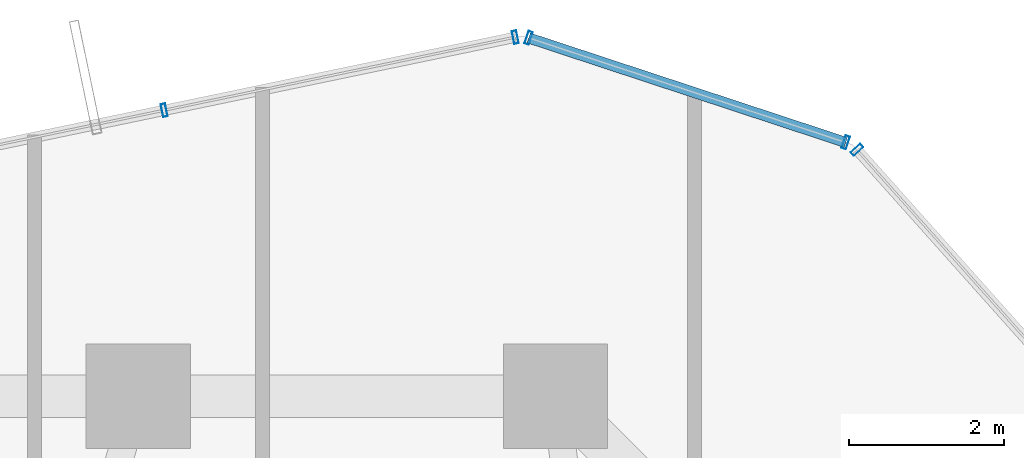
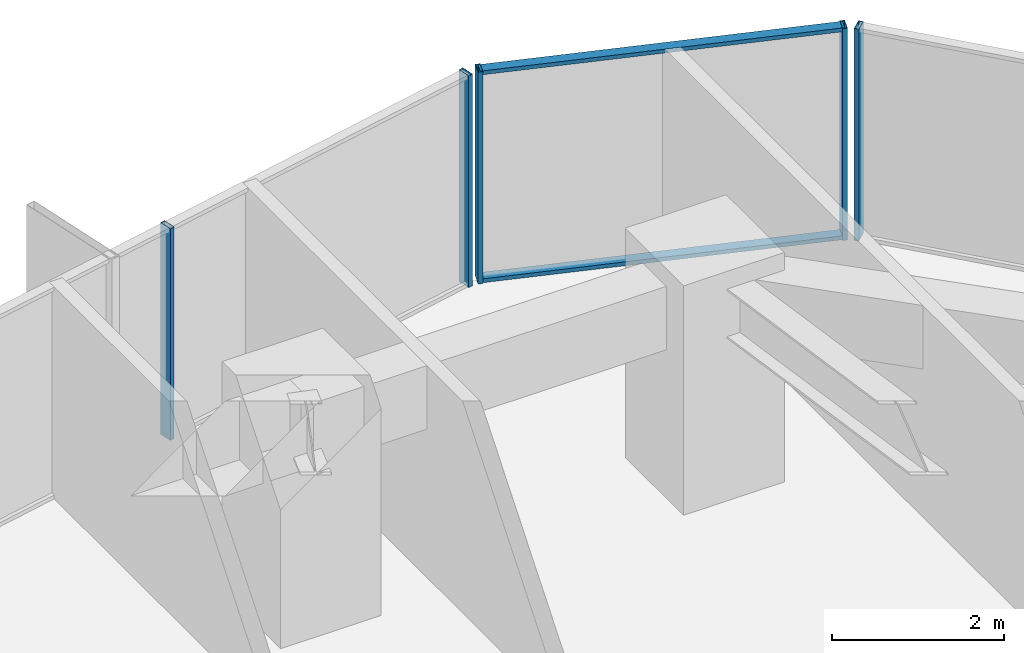
# One storey, part 27 of 38: 7 members, 3 elements without a shape of their own.
"""IFC4 building model written with IfcOpenShell, lengths in metres."""

from ifc_helpers import new_model, si_unit, direction, frame, origin, origin_2d, place, context, subcontext, project, spatial, hollow_rectangle, extrude, source, transform, mapped, material, layer, layer_set, material_profile, profile_set, type_object, element, aggregate, save


model = new_model("IFC4")

# Units and contexts
model_context = context("Model", 3, precision=1e-05, world=origin(), true_north=direction((0.0, 1.0)))
body_context = subcontext(model_context, "Body", "Model", "MODEL_VIEW")
ifc_project = project(units=[si_unit("LENGTHUNIT", "METRE"), si_unit("AREAUNIT", "SQUARE_METRE"), si_unit("VOLUMEUNIT", "CUBIC_METRE"), si_unit("PLANEANGLEUNIT", "RADIAN"), si_unit("MASSUNIT", "GRAM", prefix="KILO")], contexts=[model_context])

# Site, building, storey
site_placement = place(None, origin())
site = spatial("IfcSite", under=ifc_project, at=site_placement, CompositionType="ELEMENT")
building_placement = place(site_placement, origin())
building = spatial("IfcBuilding", under=site, at=building_placement, Name="Veraguas Prism Commons", CompositionType="ELEMENT")
storey_placement = place(building_placement, frame((0.0, 0.0, 64.10009765625)))
storey = spatial("IfcBuildingStorey", under=building, at=storey_placement, Name="L17", CompositionType="ELEMENT", Elevation=64.10009765625)

# Curtain wall, members
ifc_material = material(Name="Anodised aluminium EN AW-6063 T6", Category="aluminium")
ifc_layer = layer(ifc_material, 0.169921875, Name="Unitised Flush Curtain Wall Zone 1", Category="aluminium")
ifc_layer_set = layer_set([ifc_layer], Name="Anodised aluminium EN AW-6063 T6")
curtain_wall_type = type_object("IfcCurtainWallType", Name="Unitised Flush Curtain Wall Zone 1", PredefinedType="NOTDEFINED", material=ifc_layer_set)
curtain_wall_1_placement = place(storey_placement, origin())
curtain_wall_1 = element("IfcCurtainWall", 1, at=curtain_wall_1_placement, inside=storey, type_object=curtain_wall_type, Name="Chamfer Curtain Wall L17-C2", PredefinedType="NOTDEFINED")
ifc_material_profile_1 = material_profile(ifc_material, hollow_rectangle(XDim=0.054931640625, YDim=0.135009765625, WallThickness=0.0029296875, at=origin_2d()), Name="AL55X135X3")
ifc_profile_set_1 = profile_set([ifc_material_profile_1], Name="Anodised aluminium EN AW-6063 T6")
member_type_1 = type_object("IfcMemberType", Name="Curtain Wall Transom Standard AL 55x135x3", PredefinedType="USERDEFINED", material=ifc_profile_set_1)
shared_shape_1 = source(origin(), body_context, "Body", "SweptSolid", [
    extrude(hollow_rectangle(XDim=0.054931640625, YDim=0.135009765625, WallThickness=0.0029296875, at=origin_2d()), origin(), (0.0, 0.0, 1.0), 4.31982421875),
])
member_1_placement = place(storey_placement, frame((33.15673828125, 44.88427734375, 0.02734375), z_axis=(-0.949757233074, 0.31298753685, 0.0), x_axis=(0.0, 0.0, 1.0)))
member_1 = element("IfcMember", 2, at=member_1_placement, type_object=member_type_1, Name="CW-Z1 Transom 1", ObjectType="TRANSOM", PredefinedType="USERDEFINED", context=body_context, shape_type="MappedRepresentation", body=[
    mapped(shared_shape_1, transform((0.0, 0.0, 0.0), scale=1.0)),
])
member_2_placement = place(storey_placement, frame((33.15673828125, 44.88427734375, 2.972412109375), z_axis=(-0.949757233074, 0.31298753685, 0.0), x_axis=(0.0, 0.0, 1.0)))
member_2 = element("IfcMember", 3, at=member_2_placement, type_object=member_type_1, Name="CW-Z1 Transom 2", ObjectType="TRANSOM", PredefinedType="USERDEFINED", context=body_context, shape_type="MappedRepresentation", body=[
    mapped(shared_shape_1, transform((0.0, 0.0, 0.0), scale=1.0)),
])

# Curtain wall, member
curtain_wall_2_placement = place(storey_placement, origin())
curtain_wall_2 = element("IfcCurtainWall", 4, at=curtain_wall_2_placement, inside=storey, type_object=curtain_wall_type, Name="Tower Facade Curtain Wall L17-F1", PredefinedType="NOTDEFINED")
ifc_material_profile_2 = material_profile(ifc_material, hollow_rectangle(XDim=0.06005859375, YDim=0.169921875, WallThickness=0.00390625, at=origin_2d()), Name="AL60X170X4")
ifc_profile_set_2 = profile_set([ifc_material_profile_2], Name="Anodised aluminium EN AW-6063 T6")
member_type_2 = type_object("IfcMemberType", Name="Curtain Wall Mullion Lower AL 60x170x4", PredefinedType="MULLION", material=ifc_profile_set_2)
shared_shape_2 = source(origin(), body_context, "Body", "SweptSolid", [
    extrude(hollow_rectangle(XDim=0.06005859375, YDim=0.169921875, WallThickness=0.00390625, at=origin_2d()), origin(), (0.0, 0.0, 1.0), 3.0),
])
member_3_placement = place(storey_placement, frame((33.30224609375, 44.788818359375, 0.0), z_axis=(0.0, 0.0, 1.0), x_axis=(-0.666011867434, 0.745941145424, 0.0)))
member_3 = element("IfcMember", 5, at=member_3_placement, type_object=member_type_2, Name="CW-Z1 Mullion 5", PredefinedType="MULLION", context=body_context, shape_type="MappedRepresentation", body=[
    mapped(shared_shape_2, transform((0.0, 0.0, 0.0), scale=1.0)),
])
aggregate(curtain_wall_2, [member_3])

# Curtain wall, members
curtain_wall_3_placement = place(storey_placement, origin())
curtain_wall_3 = element("IfcCurtainWall", 6, at=curtain_wall_3_placement, inside=storey, type_object=curtain_wall_type, Name="Tower Facade Curtain Wall L17-F2", PredefinedType="NOTDEFINED")
member_4_placement = place(storey_placement, frame((28.88037109375, 46.246337890625, 0.0), z_axis=(0.0, 0.0, 1.0), x_axis=(-0.979008848209, -0.203817749789, 0.0)))
member_4 = element("IfcMember", 7, at=member_4_placement, type_object=member_type_2, Name="CW-Z1 Mullion 1", PredefinedType="MULLION", context=body_context, shape_type="MappedRepresentation", body=[
    mapped(shared_shape_2, transform((0.0, 0.0, 0.0), scale=1.0)),
])
member_5_placement = place(storey_placement, frame((24.336669921875, 45.30029296875, 0.0), z_axis=(0.0, 0.0, 1.0), x_axis=(-0.979008848209, -0.203817749789, 0.0)))
member_5 = element("IfcMember", 8, at=member_5_placement, type_object=member_type_2, Name="CW-Z1 Mullion 2", PredefinedType="MULLION", context=body_context, shape_type="MappedRepresentation", body=[
    mapped(shared_shape_2, transform((0.0, 0.0, 0.0), scale=1.0)),
])
aggregate(curtain_wall_3, [member_4, member_5])

# Member
member_6_placement = place(storey_placement, frame((33.15673828125, 44.88427734375, 0.0), z_axis=(0.0, 0.0, 1.0), x_axis=(-0.949755407973, 0.312993075045, 0.0)))
member_6 = element("IfcMember", 9, at=member_6_placement, type_object=member_type_2, Name="CW-Z1 Mullion 1", PredefinedType="MULLION", context=body_context, shape_type="MappedRepresentation", body=[
    mapped(shared_shape_2, transform((0.0, 0.0, 0.0), scale=1.0)),
])

member_7_placement = place(storey_placement, frame((29.053955078125, 46.236328125, 0.0), z_axis=(0.0, 0.0, 1.0), x_axis=(-0.949755407973, 0.312993075045, 0.0)))
member_7 = element("IfcMember", 10, at=member_7_placement, type_object=member_type_2, Name="CW-Z1 Mullion 2", PredefinedType="MULLION", context=body_context, shape_type="MappedRepresentation", body=[
    mapped(shared_shape_2, transform((0.0, 0.0, 0.0), scale=1.0)),
])

aggregate(curtain_wall_1, [member_6, member_7, member_1, member_2])

save(model, "model.ifc")
